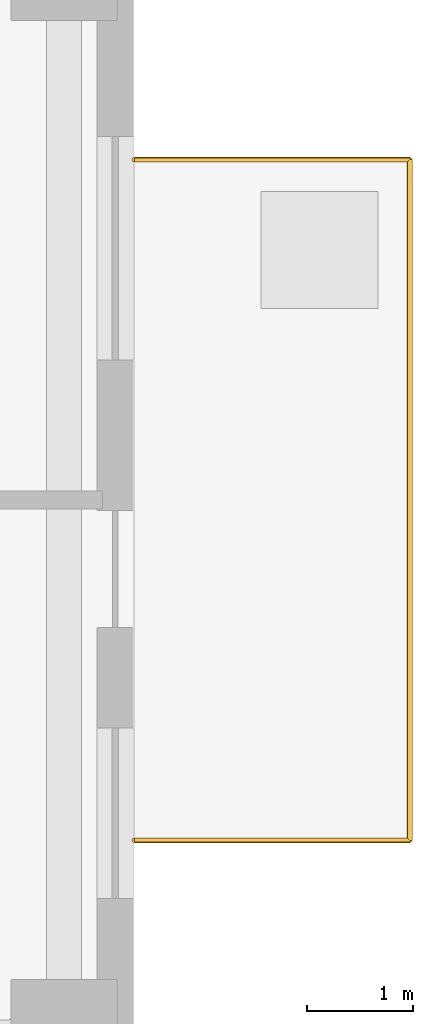
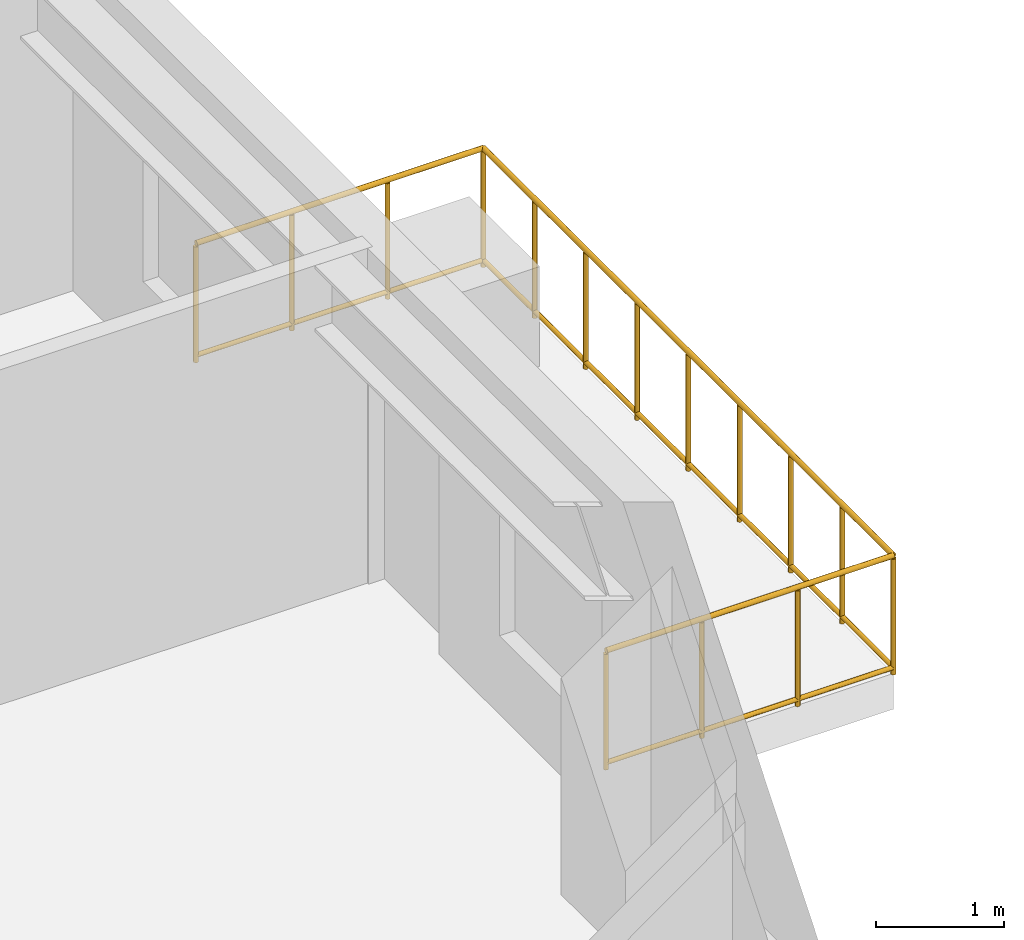
# One storey, part 8 of 8: 1 railing.
"""IFC4 building model written with IfcOpenShell, lengths in metres."""

from ifc_helpers import new_model, si_unit, direction, frame, origin, origin_2d, place, context, subcontext, project, spatial, circle, extrude, material, type_object, element, save


model = new_model("IFC4")

# Units and contexts
model_context = context("Model", 3, precision=1e-05, world=origin(), true_north=direction((0.0, 1.0)))
body_context = subcontext(model_context, "Body", "Model", "MODEL_VIEW")
ifc_project = project(units=[si_unit("LENGTHUNIT", "METRE"), si_unit("AREAUNIT", "SQUARE_METRE"), si_unit("VOLUMEUNIT", "CUBIC_METRE"), si_unit("PLANEANGLEUNIT", "RADIAN"), si_unit("MASSUNIT", "GRAM", prefix="KILO"), si_unit("THERMODYNAMICTEMPERATUREUNIT", "KELVIN"), si_unit("POWERUNIT", "WATT")], contexts=[model_context])

# Site, building, storey
site_placement = place(None, origin())
site = spatial("IfcSite", under=ifc_project, at=site_placement, CompositionType="ELEMENT")
building_placement = place(site_placement, origin())
building = spatial("IfcBuilding", under=site, at=building_placement, Name="Skarre Station Tower", CompositionType="ELEMENT")
storey_placement = place(building_placement, frame((0.0, 0.0, 125.699951171875)))
storey = spatial("IfcBuildingStorey", under=building, at=storey_placement, Name="L33", CompositionType="ELEMENT", Elevation=125.699951171875)

# Railing
ifc_material = material(Name="Stainless Steel Grade 316L & Laminated Safety Glass", Category="steel")
railing_type = type_object("IfcRailingType", Name="Laminated Glass & Stainless Terrace Guardrail 1150", PredefinedType="BALUSTRADE", material=ifc_material)
railing_placement = place(storey_placement, frame((57.22802734375, 20.800048828125, 0.0)))
element("IfcRailing", 1, at=railing_placement, inside=storey, type_object=railing_type, Name="L33 TB-L33-F5 Tree-Balcony Guardrail", PredefinedType="BALUSTRADE", context=body_context, shape_type="SweptSolid", body=[
    extrude(circle(Radius=0.02392578125, at=origin_2d()), frame((0.0, 0.0, 1.1259765625), z_axis=(1.0, 0.0, 0.0), x_axis=(0.0, 1.0, 0.0)), (0.0, 0.0, 1.0), 2.590087890625),
    extrude(circle(Radius=0.02099609375, at=origin_2d()), frame((0.0, 0.0, 0.06005859375), z_axis=(1.0, 0.0, 0.0), x_axis=(0.0, 1.0, 0.0)), (0.0, 0.0, 1.0), 2.590087890625),
    extrude(circle(Radius=0.02392578125, at=origin_2d()), frame((2.590087890625, 0.0, 1.1259765625), z_axis=(0.0, 1.0, 0.0), x_axis=(-1.0, 0.0, 0.0)), (0.0, 0.0, 1.0), 6.39990234375),
    extrude(circle(Radius=0.02099609375, at=origin_2d()), frame((2.590087890625, 0.0, 0.06005859375), z_axis=(0.0, 1.0, 0.0), x_axis=(-1.0, 0.0, 0.0)), (0.0, 0.0, 1.0), 6.39990234375),
    extrude(circle(Radius=0.02392578125, at=origin_2d()), frame((2.590087890625, 6.39990234375, 1.1259765625), z_axis=(-1.0, 0.0, 0.0), x_axis=(0.0, -1.0, 0.0)), (0.0, 0.0, 1.0), 2.590087890625),
    extrude(circle(Radius=0.02099609375, at=origin_2d()), frame((2.590087890625, 6.39990234375, 0.06005859375), z_axis=(-1.0, 0.0, 0.0), x_axis=(0.0, -1.0, 0.0)), (0.0, 0.0, 1.0), 2.590087890625),
    extrude(circle(Radius=0.02099609375, at=origin_2d()), origin(), (0.0, 0.0, 1.0), 1.101806640625),
    extrude(circle(Radius=0.02099609375, at=origin_2d()), frame((0.86328125, 0.0, 0.0)), (0.0, 0.0, 1.0), 1.101806640625),
    extrude(circle(Radius=0.02099609375, at=origin_2d()), frame((1.726806640625, 0.0, 0.0)), (0.0, 0.0, 1.0), 1.101806640625),
    extrude(circle(Radius=0.02099609375, at=origin_2d()), frame((2.590087890625, 0.0, 0.0)), (0.0, 0.0, 1.0), 1.101806640625),
    extrude(circle(Radius=0.02099609375, at=origin_2d()), frame((2.590087890625, 0.800048828125, 0.0)), (0.0, 0.0, 1.0), 1.101806640625),
    extrude(circle(Radius=0.02099609375, at=origin_2d()), frame((2.590087890625, 1.60009765625, 0.0)), (0.0, 0.0, 1.0), 1.101806640625),
    extrude(circle(Radius=0.02099609375, at=origin_2d()), frame((2.590087890625, 2.39990234375, 0.0)), (0.0, 0.0, 1.0), 1.101806640625),
    extrude(circle(Radius=0.02099609375, at=origin_2d()), frame((2.590087890625, 3.199951171875, 0.0)), (0.0, 0.0, 1.0), 1.101806640625),
    extrude(circle(Radius=0.02099609375, at=origin_2d()), frame((2.590087890625, 4.0, 0.0)), (0.0, 0.0, 1.0), 1.101806640625),
    extrude(circle(Radius=0.02099609375, at=origin_2d()), frame((2.590087890625, 4.7998046875, 0.0)), (0.0, 0.0, 1.0), 1.101806640625),
    extrude(circle(Radius=0.02099609375, at=origin_2d()), frame((2.590087890625, 5.599853515625, 0.0)), (0.0, 0.0, 1.0), 1.101806640625),
    extrude(circle(Radius=0.02099609375, at=origin_2d()), frame((2.590087890625, 6.39990234375, 0.0)), (0.0, 0.0, 1.0), 1.101806640625),
    extrude(circle(Radius=0.02099609375, at=origin_2d()), frame((1.726806640625, 6.39990234375, 0.0)), (0.0, 0.0, 1.0), 1.101806640625),
    extrude(circle(Radius=0.02099609375, at=origin_2d()), frame((0.86328125, 6.39990234375, 0.0)), (0.0, 0.0, 1.0), 1.101806640625),
    extrude(circle(Radius=0.02099609375, at=origin_2d()), frame((0.0, 6.39990234375, 0.0)), (0.0, 0.0, 1.0), 1.101806640625),
])

save(model, "model.ifc")
